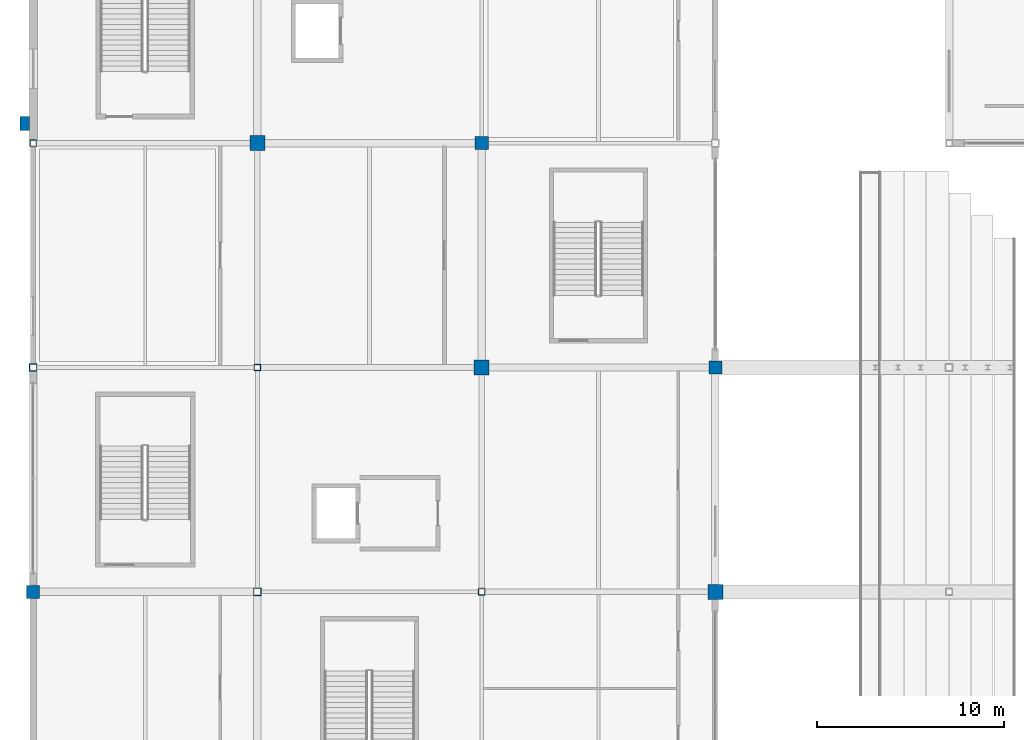
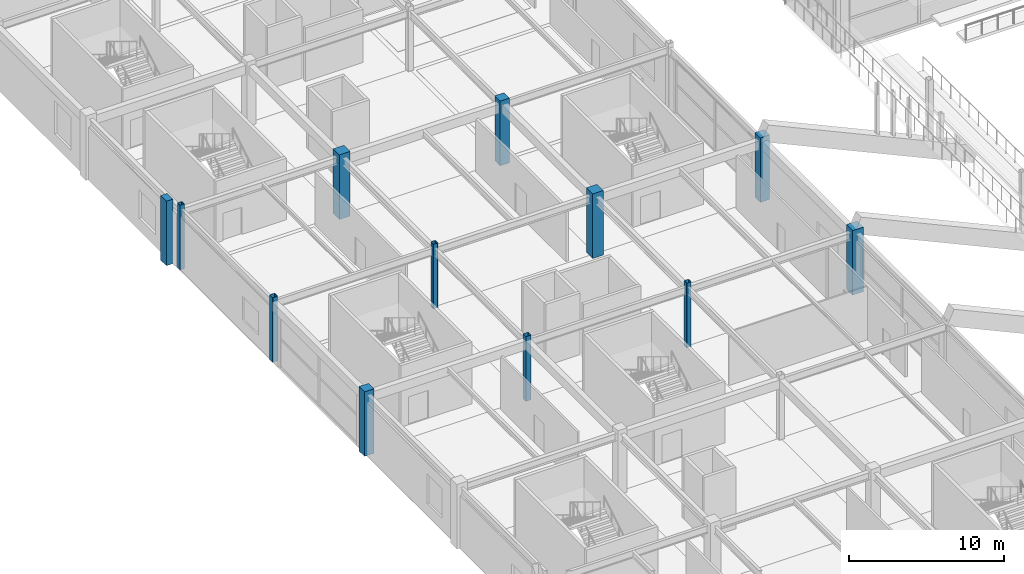
# One storey, part 8 of 128: 12 columns.
"""IFC4 building model written with IfcOpenShell, lengths in metres."""

from ifc_helpers import new_model, si_unit, direction, frame, origin, origin_2d, place, context, subcontext, project, spatial, rectangle, hollow_rectangle, extrude, material, material_profile, profile_set, type_object, element, save


model = new_model("IFC4")

# Units and contexts
model_context = context("Model", 3, precision=1e-05, world=origin(), true_north=direction((0.0, 1.0)))
body_context = subcontext(model_context, "Body", "Model", "MODEL_VIEW")
ifc_project = project(units=[si_unit("LENGTHUNIT", "METRE"), si_unit("AREAUNIT", "SQUARE_METRE"), si_unit("VOLUMEUNIT", "CUBIC_METRE"), si_unit("PLANEANGLEUNIT", "RADIAN"), si_unit("MASSUNIT", "GRAM", prefix="KILO")], contexts=[model_context])

# Site, building, storey
site_placement = place(None, origin())
site = spatial("IfcSite", under=ifc_project, at=site_placement, CompositionType="ELEMENT")
building_placement = place(site_placement, origin())
building = spatial("IfcBuilding", under=site, at=building_placement, Name="Kazenohara Klinker Stadium", CompositionType="ELEMENT")
storey_placement = place(building_placement, frame((0.0, 0.0, 15.300048828125)))
storey = spatial("IfcBuildingStorey", under=building, at=storey_placement, Name="L03", CompositionType="ELEMENT", Elevation=15.300048828125)

# Columns
ifc_material_1 = material(Name="Concrete C40/50", Category="concrete")
ifc_material_profile_1 = material_profile(ifc_material_1, rectangle(XDim=0.800048828125, YDim=0.800048828125, at=origin_2d()), Name="RC-COL-800x800")
ifc_profile_set_1 = profile_set([ifc_material_profile_1], Name="Concrete C40/50")
column_type_1 = type_object("IfcColumnType", Name="COL-RC05", PredefinedType="COLUMN", material=ifc_profile_set_1)
for number, where, z_axis, x_axis, name in (
    (1, (12.0, 132.0, 0.0), (0.0, 0.0, 1.0), (1.0, 0.0, 0.0), "Column C05 L03 2/M"),
    (2, (24.0, 120.0, 0.0), (0.0, 0.0, 1.0), (1.0, 0.0, 0.0), "Column C05 L03 3/L"),
    (3, (36.5, 108.0, 0.0), (0.0, 0.0, 1.0), (1.0, 0.0, 0.0), "Column C05 L03 4/K"),
):
    element("IfcColumn", number, at=place(storey_placement, frame(where, z_axis=z_axis, x_axis=x_axis)), inside=storey, type_object=column_type_1, Name=name, PredefinedType="COLUMN", context=body_context, shape_type="SweptSolid", body=[
        extrude(rectangle(XDim=0.800048828125, YDim=0.800048828125, at=origin_2d()), origin(), (0.0, 0.0, 1.0), 5.099853515625),
    ])
ifc_material_profile_2 = material_profile(ifc_material_1, rectangle(XDim=0.699951171875, YDim=0.699951171875, at=origin_2d()), Name="RC-COL-700x700")
ifc_profile_set_2 = profile_set([ifc_material_profile_2], Name="Concrete C40/50")
column_type_2 = type_object("IfcColumnType", Name="COL-RC06", PredefinedType="COLUMN", material=ifc_profile_set_2)
for number, where, z_axis, x_axis, name in (
    (4, (0.0, 108.0, 0.0), (0.0, 0.0, 1.0), (1.0, 0.0, 0.0), "Column C06 L03 1/K"),
    (5, (24.0, 132.0, 0.0), (0.0, 0.0, 1.0), (1.0, 0.0, 0.0), "Column C06 L03 3/M"),
    (6, (36.5, 120.0, 0.0), (0.0, 0.0, 1.0), (1.0, 0.0, 0.0), "Column C06 L03 4/L"),
):
    element("IfcColumn", number, at=place(storey_placement, frame(where, z_axis=z_axis, x_axis=x_axis)), inside=storey, type_object=column_type_2, Name=name, PredefinedType="COLUMN", context=body_context, shape_type="SweptSolid", body=[
        extrude(rectangle(XDim=0.699951171875, YDim=0.699951171875, at=origin_2d()), origin(), (0.0, 0.0, 1.0), 5.099853515625),
    ])
ifc_material_2 = material(Name="Steel S355", Category="steel")
ifc_material_profile_3 = material_profile(ifc_material_2, hollow_rectangle(XDim=0.39990234375, YDim=0.39990234375, WallThickness=0.01611328125, InnerFilletRadius=0.01611328125, OuterFilletRadius=0.031982421875, at=origin_2d()), Name="SHS-400x400x16")
ifc_profile_set_3 = profile_set([ifc_material_profile_3], Name="Steel S355")
column_type_3 = type_object("IfcColumnType", Name="COL-ST01", PredefinedType="COLUMN", material=ifc_profile_set_3)
for number, where, z_axis, x_axis, name in (
    (7, (0.0, 120.0, 0.0), (0.0, 0.0, 1.0), (1.0, 0.0, 0.0), "Column SC01 L03 1/L"),
    (8, (12.0, 108.0, 0.0), (0.0, 0.0, 1.0), (1.0, 0.0, 0.0), "Column SC01 L03 2/K"),
):
    element("IfcColumn", number, at=place(storey_placement, frame(where, z_axis=z_axis, x_axis=x_axis)), inside=storey, type_object=column_type_3, Name=name, PredefinedType="COLUMN", context=body_context, shape_type="SweptSolid", body=[
        extrude(hollow_rectangle(XDim=0.39990234375, YDim=0.39990234375, WallThickness=0.01611328125, InnerFilletRadius=0.01611328125, OuterFilletRadius=0.031982421875, at=origin_2d()), origin(), (0.0, 0.0, 1.0), 5.099853515625),
    ])
ifc_material_profile_4 = material_profile(ifc_material_2, hollow_rectangle(XDim=0.35009765625, YDim=0.35009765625, WallThickness=0.01611328125, InnerFilletRadius=0.01611328125, OuterFilletRadius=0.031982421875, at=origin_2d()), Name="SHS-350x350x16")
ifc_profile_set_4 = profile_set([ifc_material_profile_4], Name="Steel S355")
column_type_4 = type_object("IfcColumnType", Name="COL-ST02", PredefinedType="COLUMN", material=ifc_profile_set_4)
for number, where, z_axis, x_axis, name in (
    (9, (0.0, 132.0, 0.0), (0.0, 0.0, 1.0), (1.0, 0.0, 0.0), "Column SC02 L03 1/M"),
    (10, (12.0, 120.0, 0.0), (0.0, 0.0, 1.0), (1.0, 0.0, 0.0), "Column SC02 L03 2/L"),
    (11, (24.0, 108.0, 0.0), (0.0, 0.0, 1.0), (1.0, 0.0, 0.0), "Column SC02 L03 3/K"),
):
    element("IfcColumn", number, at=place(storey_placement, frame(where, z_axis=z_axis, x_axis=x_axis)), inside=storey, type_object=column_type_4, Name=name, PredefinedType="COLUMN", context=body_context, shape_type="SweptSolid", body=[
        extrude(hollow_rectangle(XDim=0.35009765625, YDim=0.35009765625, WallThickness=0.01611328125, InnerFilletRadius=0.01611328125, OuterFilletRadius=0.031982421875, at=origin_2d()), origin(), (0.0, 0.0, 1.0), 5.099853515625),
    ])
ifc_material_profile_5 = material_profile(ifc_material_1, rectangle(XDim=0.5, YDim=0.75, at=origin_2d()), Name="RC-PILASTER-500x750")
ifc_profile_set_5 = profile_set([ifc_material_profile_5], Name="Concrete C40/50")
column_type_5 = type_object("IfcColumnType", Name="PIL-RC02", PredefinedType="PILASTER", material=ifc_profile_set_5)
column_placement = place(storey_placement, frame((-0.449951171875, 133.050048828125, 0.0), z_axis=(0.0, 0.0, 1.0), x_axis=(1.0, 0.0, 0.0)))
element("IfcColumn", 12, at=column_placement, inside=storey, type_object=column_type_5, Name="Pleated facade pilaster PL02 L03 West-11", PredefinedType="PILASTER", context=body_context, shape_type="SweptSolid", body=[
    extrude(rectangle(XDim=0.5, YDim=0.75, at=origin_2d()), origin(), (0.0, 0.0, 1.0), 5.099853515625),
])

save(model, "model.ifc")
